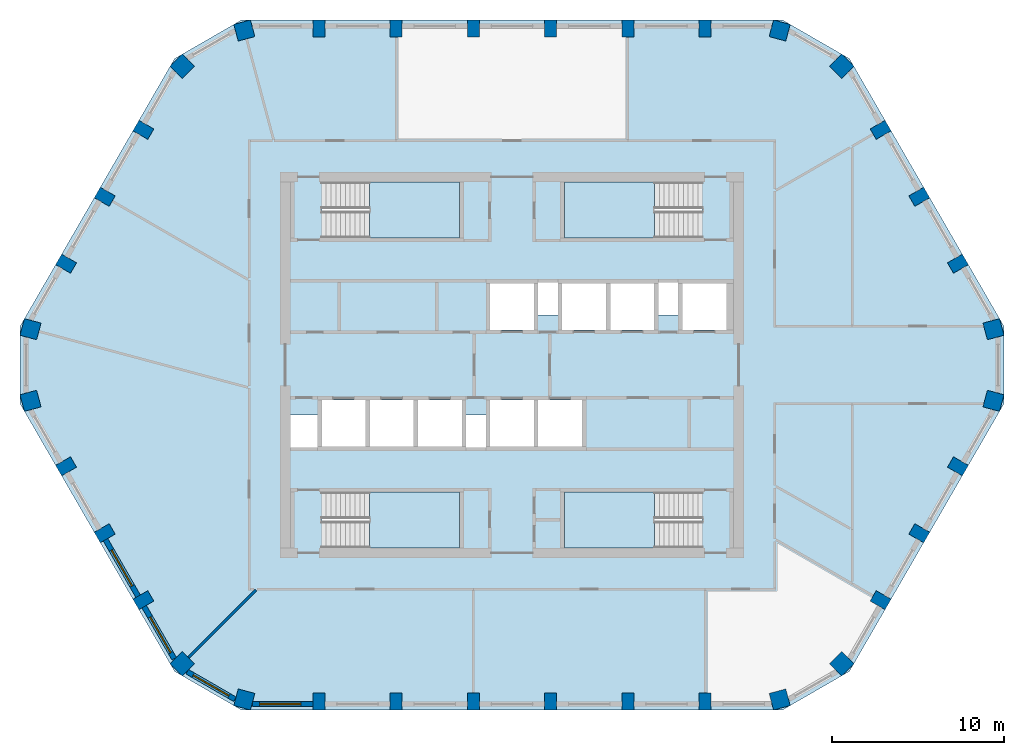
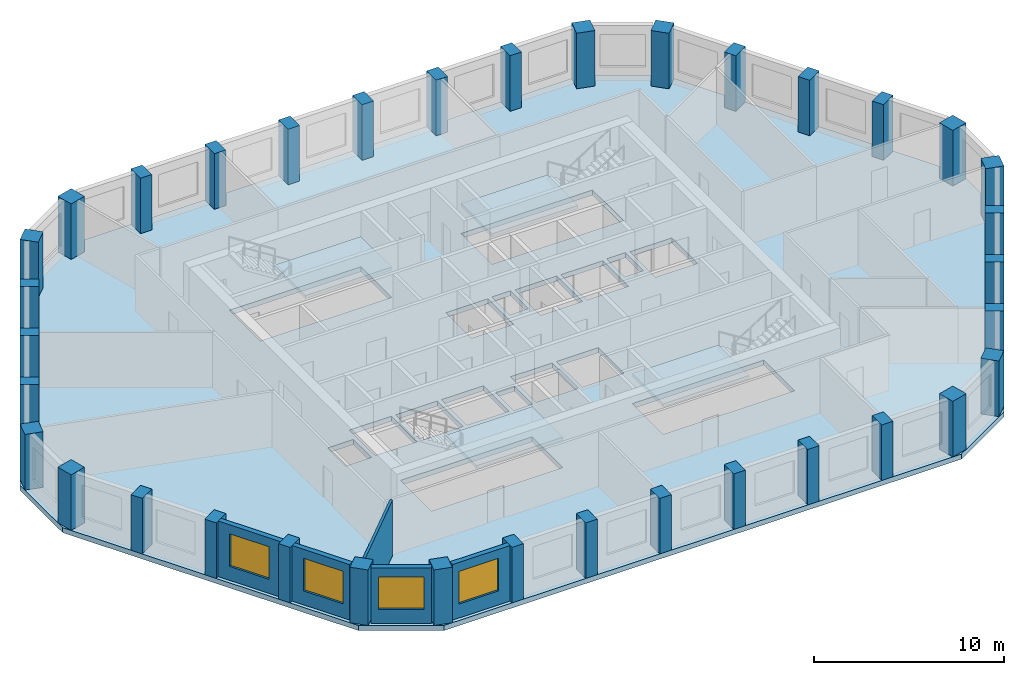
# One storey, part 1 of 10: 36 columns, 5 slabs, 5 walls, 4 windows, 4 openings, 4 elements without a shape of their own.
"""IFC4 building model written with IfcOpenShell, lengths in metres."""

from ifc_helpers import new_model, si_unit, direction, frame, frame_2d, origin, origin_2d, place, context, subcontext, project, spatial, polyline, rectangle, outline, extrude, material, layer, layer_set, material_profile, profile_set, type_object, element, fill, aggregate, save


model = new_model("IFC4")

# Units and contexts
model_context = context("Model", 3, precision=1e-05, world=origin(), true_north=direction((0.0, 1.0)))
body_context = subcontext(model_context, "Body", "Model", "MODEL_VIEW")
ifc_project = project(units=[si_unit("LENGTHUNIT", "METRE"), si_unit("AREAUNIT", "SQUARE_METRE"), si_unit("VOLUMEUNIT", "CUBIC_METRE"), si_unit("PLANEANGLEUNIT", "RADIAN"), si_unit("MASSUNIT", "GRAM", prefix="KILO")], contexts=[model_context])

# Site, building, storey
site_placement = place(None, origin())
site = spatial("IfcSite", under=ifc_project, at=site_placement, CompositionType="ELEMENT")
building_placement = place(site_placement, origin())
building = spatial("IfcBuilding", under=site, at=building_placement, Name="Dhurran Vertical Campus", CompositionType="ELEMENT")
storey_placement = place(building_placement, frame((0.0, 0.0, 254.699951171875)))
storey = spatial("IfcBuildingStorey", under=building, at=storey_placement, Name="L63", CompositionType="ELEMENT", Elevation=254.699951171875)

# Columns
ifc_material_1 = material(Name="Concrete C50/60", Category="concrete")
ifc_material_profile_1 = material_profile(ifc_material_1, rectangle(XDim=1.0, YDim=1.0, at=origin_2d()), Name="RC 1000x1000")
ifc_profile_set_1 = profile_set([ifc_material_profile_1], Name="Concrete C50/60")
column_type_1 = type_object("IfcColumnType", Name="FR COL RC 1000x1000 C50/60", PredefinedType="COLUMN", material=ifc_profile_set_1)
for number, where, z_axis, x_axis, name in (
    (1, (-15.5859375, -19.47607421875, 0.0), (0.0, 0.0, 1.0), (0.965925826289, -0.258819045103, 0.0), "Perimeter pier PP5.00"),
    (2, (15.5859375, -19.47607421875, 0.0), (0.0, 0.0, 1.0), (0.965925826289, 0.258819045103, 0.0), "Perimeter pier PP5.07"),
    (3, (19.19873046875, -17.39013671875, 0.0), (0.0, 0.0, 1.0), (0.707106781187, 0.707106781187, 0.0), "Perimeter pier PP5.08"),
    (4, (28.03466796875, -2.0859375, 0.0), (0.0, 0.0, 1.0), (0.258819045103, 0.965925826289, 0.0), "Perimeter pier PP5.12"),
    (5, (28.03466796875, 2.0859375, 0.0), (0.0, 0.0, 1.0), (-0.258819045103, 0.965925826289, 0.0), "Perimeter pier PP5.13"),
    (6, (19.19873046875, 17.39013671875, 0.0), (0.0, 0.0, 1.0), (-0.707106781187, 0.707106781187, 0.0), "Perimeter pier PP5.17"),
    (7, (15.5859375, 19.47607421875, 0.0), (0.0, 0.0, 1.0), (-0.965925826289, 0.258819045103, 0.0), "Perimeter pier PP5.18"),
    (8, (-15.5859375, 19.47607421875, 0.0), (0.0, 0.0, 1.0), (-0.965925826289, -0.258819045103, 0.0), "Perimeter pier PP5.25"),
    (9, (-19.19873046875, 17.39013671875, 0.0), (0.0, 0.0, 1.0), (-0.707106781187, -0.707106781187, 0.0), "Perimeter pier PP5.26"),
    (10, (-28.03466796875, 2.0859375, 0.0), (0.0, 0.0, 1.0), (-0.258819045103, -0.965925826289, 0.0), "Perimeter pier PP5.30"),
    (11, (-28.03466796875, -2.0859375, 0.0), (0.0, 0.0, 1.0), (0.258819045103, -0.965925826289, 0.0), "Perimeter pier PP5.31"),
    (12, (-19.19873046875, -17.39013671875, 0.0), (0.0, 0.0, 1.0), (0.707106781187, -0.707106781187, 0.0), "Perimeter pier PP5.35"),
):
    element("IfcColumn", number, at=place(storey_placement, frame(where, z_axis=z_axis, x_axis=x_axis)), inside=storey, type_object=column_type_1, Name=name, PredefinedType="COLUMN", context=body_context, shape_type="SweptSolid", body=[
        extrude(rectangle(XDim=1.0, YDim=1.0, at=origin_2d()), origin(), (0.0, 0.0, 1.0), 3.574951171875),
    ])
ifc_material_2 = material(Name="Concrete C50/60", Category="concrete")
ifc_material_profile_2 = material_profile(ifc_material_2, rectangle(XDim=0.699951171875, YDim=1.0, at=origin_2d()), Name="RC 700x1000")
ifc_profile_set_2 = profile_set([ifc_material_profile_2], Name="Concrete C50/60")
column_type_2 = type_object("IfcColumnType", Name="FR COL RC 700x1000 C50/60", PredefinedType="COLUMN", material=ifc_profile_set_2)
for number, where, z_axis, x_axis, name in (
    (13, (-11.25, -19.58837890625, 0.0), (0.0, 0.0, 1.0), (1.0, 0.0, 0.0), "Perimeter pier PP5.01"),
    (14, (-6.75, -19.58837890625, 0.0), (0.0, 0.0, 1.0), (1.0, 0.0, 0.0), "Perimeter pier PP5.02"),
    (15, (-2.25, -19.58837890625, 0.0), (0.0, 0.0, 1.0), (1.0, 0.0, 0.0), "Perimeter pier PP5.03"),
    (16, (2.25, -19.58837890625, 0.0), (0.0, 0.0, 1.0), (1.0, 0.0, 0.0), "Perimeter pier PP5.04"),
    (17, (6.75, -19.58837890625, 0.0), (0.0, 0.0, 1.0), (1.0, 0.0, 0.0), "Perimeter pier PP5.05"),
    (18, (11.25, -19.58837890625, 0.0), (0.0, 0.0, 1.0), (1.0, 0.0, 0.0), "Perimeter pier PP5.06"),
    (19, (21.464111328125, -13.69140625, 0.0), (0.0, 0.0, 1.0), (0.5, 0.866025403784, 0.0), "Perimeter pier PP5.09"),
    (20, (23.714111328125, -9.794189453125, 0.0), (0.0, 0.0, 1.0), (0.5, 0.866025403784, 0.0), "Perimeter pier PP5.10"),
    (21, (25.964111328125, -5.897216796875, 0.0), (0.0, 0.0, 1.0), (0.5, 0.866025403784, 0.0), "Perimeter pier PP5.11"),
    (22, (25.964111328125, 5.897216796875, 0.0), (0.0, 0.0, 1.0), (-0.5, 0.866025403784, 0.0), "Perimeter pier PP5.14"),
    (23, (23.714111328125, 9.794189453125, 0.0), (0.0, 0.0, 1.0), (-0.5, 0.866025403784, 0.0), "Perimeter pier PP5.15"),
    (24, (21.464111328125, 13.69140625, 0.0), (0.0, 0.0, 1.0), (-0.5, 0.866025403784, 0.0), "Perimeter pier PP5.16"),
    (25, (11.25, 19.58837890625, 0.0), (0.0, 0.0, 1.0), (-1.0, 0.0, 0.0), "Perimeter pier PP5.19"),
    (26, (6.75, 19.58837890625, 0.0), (0.0, 0.0, 1.0), (-1.0, 0.0, 0.0), "Perimeter pier PP5.20"),
    (27, (2.25, 19.58837890625, 0.0), (0.0, 0.0, 1.0), (-1.0, 0.0, 0.0), "Perimeter pier PP5.21"),
    (28, (-2.25, 19.58837890625, 0.0), (0.0, 0.0, 1.0), (-1.0, 0.0, 0.0), "Perimeter pier PP5.22"),
    (29, (-6.75, 19.58837890625, 0.0), (0.0, 0.0, 1.0), (-1.0, 0.0, 0.0), "Perimeter pier PP5.23"),
    (30, (-11.25, 19.58837890625, 0.0), (0.0, 0.0, 1.0), (-1.0, 0.0, 0.0), "Perimeter pier PP5.24"),
    (31, (-21.464111328125, 13.69140625, 0.0), (0.0, 0.0, 1.0), (-0.5, -0.866025403784, 0.0), "Perimeter pier PP5.27"),
    (32, (-23.714111328125, 9.794189453125, 0.0), (0.0, 0.0, 1.0), (-0.5, -0.866025403784, 0.0), "Perimeter pier PP5.28"),
    (33, (-25.964111328125, 5.897216796875, 0.0), (0.0, 0.0, 1.0), (-0.5, -0.866025403784, 0.0), "Perimeter pier PP5.29"),
    (34, (-25.964111328125, -5.897216796875, 0.0), (0.0, 0.0, 1.0), (0.5, -0.866025403784, 0.0), "Perimeter pier PP5.32"),
    (35, (-23.714111328125, -9.794189453125, 0.0), (0.0, 0.0, 1.0), (0.5, -0.866025403784, 0.0), "Perimeter pier PP5.33"),
    (36, (-21.464111328125, -13.69140625, 0.0), (0.0, 0.0, 1.0), (0.5, -0.866025403784, 0.0), "Perimeter pier PP5.34"),
):
    element("IfcColumn", number, at=place(storey_placement, frame(where, z_axis=z_axis, x_axis=x_axis)), inside=storey, type_object=column_type_2, Name=name, PredefinedType="COLUMN", context=body_context, shape_type="SweptSolid", body=[
        extrude(rectangle(XDim=0.699951171875, YDim=1.0, at=origin_2d()), origin(), (0.0, 0.0, 1.0), 3.574951171875),
    ])

# Slab
ifc_material_3 = material(Name="Concrete C40/50", Category="concrete")
ifc_layer_1 = layer(ifc_material_3, 0.324951171875)
ifc_layer_set_1 = layer_set([ifc_layer_1], Name="Concrete C40/50")
slab_type_1 = type_object("IfcSlabType", Name="FR POST-TENSIONED FLAT SLAB 325", PredefinedType="FLOOR", material=ifc_layer_set_1)
slab_1_placement = place(storey_placement, frame((0.0, 0.0, -0.324951171875)))
element("IfcSlab", 37, at=slab_1_placement, inside=storey, type_object=slab_type_1, Name="Floor slab L63", PredefinedType="FLOOR", context=body_context, shape_type="SweptSolid", body=[
    extrude(outline(polyline([(-15.75, -20.08837890625), (15.75, -20.08837890625), (19.647216796875, -17.83837890625), (28.647216796875, -2.25), (28.647216796875, 2.25), (19.647216796875, 17.83837890625), (15.75, 20.08837890625), (-15.75, 20.08837890625), (-19.647216796875, 17.83837890625), (-28.647216796875, 2.25), (-28.647216796875, -2.25), (-19.647216796875, -17.83837890625), (-15.75, -20.08837890625)]), holes=[polyline([(-1.27490234375, 2.050048828125), (1.27490234375, 2.050048828125), (1.27490234375, 4.75), (-1.27490234375, 4.75), (-1.27490234375, 2.050048828125)]), polyline([(9.925048828125, 2.050048828125), (12.47509765625, 2.050048828125), (12.47509765625, 4.75), (9.925048828125, 4.75), (9.925048828125, 2.050048828125)]), polyline([(-1.27490234375, -4.75), (1.27490234375, -4.75), (1.27490234375, -2.050048828125), (-1.27490234375, -2.050048828125), (-1.27490234375, -4.75)]), polyline([(1.52490234375, -4.75), (4.074951171875, -4.75), (4.074951171875, -2.050048828125), (1.52490234375, -2.050048828125), (1.52490234375, -4.75)]), polyline([(2.925048828125, 2.050048828125), (5.47509765625, 2.050048828125), (5.47509765625, 4.75), (2.925048828125, 4.75), (2.925048828125, 2.050048828125)]), polyline([(5.72509765625, 2.050048828125), (8.27490234375, 2.050048828125), (8.27490234375, 4.75), (5.72509765625, 4.75), (5.72509765625, 2.050048828125)]), polyline([(-11.074951171875, -4.75), (-8.52490234375, -4.75), (-8.52490234375, -2.050048828125), (-11.074951171875, -2.050048828125), (-11.074951171875, -4.75)]), polyline([(-8.27490234375, -4.75), (-5.72509765625, -4.75), (-5.72509765625, -2.050048828125), (-8.27490234375, -2.050048828125), (-8.27490234375, -4.75)]), polyline([(-5.47509765625, -4.75), (-2.925048828125, -4.75), (-2.925048828125, -2.050048828125), (-5.47509765625, -2.050048828125), (-5.47509765625, -4.75)]), polyline([(-11.050048828125, 7.39990234375), (-3.050048828125, 7.39990234375), (-3.050048828125, 10.64990234375), (-11.050048828125, 10.64990234375), (-11.050048828125, 7.39990234375)]), polyline([(3.050048828125, 7.39990234375), (11.050048828125, 7.39990234375), (11.050048828125, 10.64990234375), (3.050048828125, 10.64990234375), (3.050048828125, 7.39990234375)]), polyline([(-11.050048828125, -10.64990234375), (-3.050048828125, -10.64990234375), (-3.050048828125, -7.39990234375), (-11.050048828125, -7.39990234375), (-11.050048828125, -10.64990234375)]), polyline([(3.050048828125, -10.64990234375), (11.050048828125, -10.64990234375), (11.050048828125, -7.39990234375), (3.050048828125, -7.39990234375), (3.050048828125, -10.64990234375)]), polyline([(2.675048828125, 2.89990234375), (1.52490234375, 2.89990234375), (1.52490234375, 4.800048828125), (2.675048828125, 4.800048828125), (2.675048828125, 2.89990234375)]), polyline([(-12.89990234375, -2.89990234375), (-11.324951171875, -2.89990234375), (-11.324951171875, -4.800048828125), (-12.89990234375, -4.800048828125), (-12.89990234375, -2.89990234375)]), polyline([(-2.675048828125, -2.89990234375), (-1.52490234375, -2.89990234375), (-1.52490234375, -4.800048828125), (-2.675048828125, -4.800048828125), (-2.675048828125, -2.89990234375)]), polyline([(9.675048828125, 2.89990234375), (8.52490234375, 2.89990234375), (8.52490234375, 4.800048828125), (9.675048828125, 4.800048828125), (9.675048828125, 2.89990234375)])]), origin(), (0.0, 0.0, 1.0), 0.324951171875),
])

# Stair, slab
ifc_material_4 = material(Name="Concrete C40/50", Category="concrete")
stair_type = type_object("IfcStairType", Name="co-ST-CORE", PredefinedType="HALF_TURN_STAIR", material=ifc_material_4)
stair_1_placement = place(storey_placement, origin())
stair_1 = element("IfcStair", 38, at=stair_1_placement, inside=storey, type_object=stair_type, Name="L63 Protected exit stair ST1", PredefinedType="HALF_TURN_STAIR")
ifc_material_5 = material(Name="Concrete C40/50", Category="concrete")
ifc_layer_2 = layer(ifc_material_5, 0.199951171875)
ifc_layer_set_2 = layer_set([ifc_layer_2], Name="Concrete C40/50")
slab_type_2 = type_object("IfcSlabType", Name="co-SL-LANDING", PredefinedType="LANDING", material=ifc_layer_set_2)
slab_2_placement = place(storey_placement, frame((0.0, 0.0, 1.75)))
slab_2 = element("IfcSlab", 39, at=slab_2_placement, type_object=slab_type_2, Name="ST1 landing 1", PredefinedType="LANDING", context=body_context, shape_type="SweptSolid", body=[
    extrude(outline(polyline([(-8.300048828125, 7.39990234375), (-3.050048828125, 7.39990234375), (-3.050048828125, 10.64990234375), (-8.300048828125, 10.64990234375), (-8.300048828125, 7.39990234375)])), origin(), (0.0, 0.0, 1.0), 0.199951171875),
])
aggregate(stair_1, [slab_2])

stair_2_placement = place(storey_placement, origin())
stair_2 = element("IfcStair", 40, at=stair_2_placement, inside=storey, type_object=stair_type, Name="L63 Protected exit stair ST2", PredefinedType="HALF_TURN_STAIR")
slab_3_placement = place(storey_placement, frame((0.0, 0.0, 1.75)))
slab_3 = element("IfcSlab", 41, at=slab_3_placement, type_object=slab_type_2, Name="ST2 landing 1", PredefinedType="LANDING", context=body_context, shape_type="SweptSolid", body=[
    extrude(outline(polyline([(8.300048828125, 10.64990234375), (3.050048828125, 10.64990234375), (3.050048828125, 7.39990234375), (8.300048828125, 7.39990234375), (8.300048828125, 10.64990234375)])), origin(), (0.0, 0.0, 1.0), 0.199951171875),
])
aggregate(stair_2, [slab_3])

stair_3_placement = place(storey_placement, origin())
stair_3 = element("IfcStair", 42, at=stair_3_placement, inside=storey, type_object=stair_type, Name="L63 Protected exit stair ST3", PredefinedType="HALF_TURN_STAIR")
slab_4_placement = place(storey_placement, frame((0.0, 0.0, 1.75)))
slab_4 = element("IfcSlab", 43, at=slab_4_placement, type_object=slab_type_2, Name="ST3 landing 1", PredefinedType="LANDING", context=body_context, shape_type="SweptSolid", body=[
    extrude(outline(polyline([(-8.300048828125, -10.64990234375), (-3.050048828125, -10.64990234375), (-3.050048828125, -7.39990234375), (-8.300048828125, -7.39990234375), (-8.300048828125, -10.64990234375)])), origin(), (0.0, 0.0, 1.0), 0.199951171875),
])
aggregate(stair_3, [slab_4])

stair_4_placement = place(storey_placement, origin())
stair_4 = element("IfcStair", 44, at=stair_4_placement, inside=storey, type_object=stair_type, Name="L63 Protected exit stair ST4", PredefinedType="HALF_TURN_STAIR")
slab_5_placement = place(storey_placement, frame((0.0, 0.0, 1.75)))
slab_5 = element("IfcSlab", 45, at=slab_5_placement, type_object=slab_type_2, Name="ST4 landing 1", PredefinedType="LANDING", context=body_context, shape_type="SweptSolid", body=[
    extrude(outline(polyline([(8.300048828125, -7.39990234375), (3.050048828125, -7.39990234375), (3.050048828125, -10.64990234375), (8.300048828125, -10.64990234375), (8.300048828125, -7.39990234375)])), origin(), (0.0, 0.0, 1.0), 0.199951171875),
])
aggregate(stair_4, [slab_5])

# Wall, opening, window
ifc_material_6 = material(Name="Precast concrete C50/60", Category="concrete")
ifc_layer_3 = layer(ifc_material_6, 0.300048828125)
ifc_layer_set_3 = layer_set([ifc_layer_3], Name="Precast concrete C50/60")
wall_type_1 = type_object("IfcWallType", Name="Precast spandrel wall 300", PredefinedType="SOLIDWALL", material=ifc_layer_set_3)
wall_1_placement = place(storey_placement, frame((-15.09814453125, -19.738525390625, 0.0), z_axis=(0.0, 0.0, 1.0), x_axis=(1.0, 0.0, 0.0)))
wall_1 = element("IfcWall", 46, at=wall_1_placement, inside=storey, type_object=wall_type_1, Name="EW1 L63.00", PredefinedType="SOLIDWALL", context=body_context, shape_type="SweptSolid", body=[
    extrude(rectangle(XDim=3.49755859375, YDim=0.300048828125, at=frame_2d((1.748779296875, 0.0))), origin(), (0.0, 0.0, 1.0), 3.574951171875),
])
opening_1_placement = place(wall_1_placement, frame((0.398193359375, 0.0, 0.89990234375)))
opening_1 = element("IfcOpeningElement", 47, at=opening_1_placement, cuts=wall_1, Name="Opening WT1", PredefinedType="OPENING", context=body_context, shape_type="SweptSolid", body=[
    extrude(rectangle(XDim=2.39990234375, YDim=2.10009765625, at=frame_2d((1.199951171875, 1.050048828125))), frame((0.0, 0.159912109375, 0.0), z_axis=(0.0, -1.0, 0.0), x_axis=(1.0, 0.0, 0.0)), (0.0, 0.0, 1.0), 0.320068359375),
])
ifc_material_7 = material(Name="Aluminium frame with solar-control glass", Category="aluminium")
window_type = type_object("IfcWindowType", Name="Punched window 2400 x 2100", PartitioningType="SINGLE_PANEL", PredefinedType="WINDOW", material=ifc_material_7)
window_1_placement = place(opening_1_placement, origin())
window_1 = element("IfcWindow", 48, at=window_1_placement, inside=storey, type_object=window_type, Name="WT1 L63.00", OverallHeight=2.10009765625, OverallWidth=2.39990234375, PartitioningType="SINGLE_PANEL", PredefinedType="WINDOW", context=body_context, shape_type="SweptSolid", body=[
    extrude(rectangle(XDim=2.39990234375, YDim=2.10009765625, at=frame_2d((1.199951171875, 1.050048828125))), frame((0.0, 0.030029296875, 0.0), z_axis=(0.0, -1.0, 0.0), x_axis=(1.0, 0.0, 0.0)), (0.0, 0.0, 1.0), 0.06005859375),
])
fill(opening_1, window_1)

wall_2_placement = place(storey_placement, frame((-23.668701171875, -10.1728515625, 0.0), z_axis=(0.0, 0.0, 1.0), x_axis=(0.499982058975, -0.866035761792, 0.0)))
wall_2 = element("IfcWall", 49, at=wall_2_placement, inside=storey, type_object=wall_type_1, Name="EW1 L63.33", PredefinedType="SOLIDWALL", context=body_context, shape_type="SweptSolid", body=[
    extrude(rectangle(XDim=3.799072265625, YDim=0.300048828125, at=frame_2d((1.8994140625, 0.0))), origin(), (0.0, 0.0, 1.0), 3.574951171875),
])
opening_2_placement = place(wall_2_placement, frame((0.699462890625, 0.0, 0.89990234375)))
opening_2 = element("IfcOpeningElement", 50, at=opening_2_placement, cuts=wall_2, Name="Opening WT1", PredefinedType="OPENING", context=body_context, shape_type="SweptSolid", body=[
    extrude(rectangle(XDim=2.39990234375, YDim=2.10009765625, at=frame_2d((1.199951171875, 1.050048828125))), frame((0.0, 0.159912109375, 0.0), z_axis=(0.0, -1.0, 0.0), x_axis=(1.0, 0.0, 0.0)), (0.0, 0.0, 1.0), 0.320068359375),
])
window_2_placement = place(opening_2_placement, origin())
window_2 = element("IfcWindow", 51, at=window_2_placement, inside=storey, type_object=window_type, Name="WT1 L63.33", OverallHeight=2.10009765625, OverallWidth=2.39990234375, PartitioningType="SINGLE_PANEL", PredefinedType="WINDOW", context=body_context, shape_type="SweptSolid", body=[
    extrude(rectangle(XDim=2.39990234375, YDim=2.10009765625, at=frame_2d((1.199951171875, 1.050048828125))), frame((0.0, 0.030029296875, 0.0), z_axis=(0.0, -1.0, 0.0), x_axis=(1.0, 0.0, 0.0)), (0.0, 0.0, 1.0), 0.06005859375),
])
fill(opening_2, window_2)

wall_3_placement = place(storey_placement, frame((-21.418701171875, -14.06982421875, 0.0), z_axis=(0.0, 0.0, 1.0), x_axis=(0.499960102815, -0.866048437209, 0.0)))
wall_3 = element("IfcWall", 52, at=wall_3_placement, inside=storey, type_object=wall_type_1, Name="EW1 L63.34", PredefinedType="SOLIDWALL", context=body_context, shape_type="SweptSolid", body=[
    extrude(rectangle(XDim=3.497802734375, YDim=0.300048828125, at=frame_2d((1.7490234375, 0.0))), origin(), (0.0, 0.0, 1.0), 3.574951171875),
])
opening_3_placement = place(wall_3_placement, frame((0.699462890625, 0.0, 0.89990234375)))
opening_3 = element("IfcOpeningElement", 53, at=opening_3_placement, cuts=wall_3, Name="Opening WT1", PredefinedType="OPENING", context=body_context, shape_type="SweptSolid", body=[
    extrude(rectangle(XDim=2.39990234375, YDim=2.10009765625, at=frame_2d((1.199951171875, 1.050048828125))), frame((0.0, 0.159912109375, 0.0), z_axis=(0.0, -1.0, 0.0), x_axis=(1.0, 0.0, 0.0)), (0.0, 0.0, 1.0), 0.320068359375),
])
window_3_placement = place(opening_3_placement, origin())
window_3 = element("IfcWindow", 54, at=window_3_placement, inside=storey, type_object=window_type, Name="WT1 L63.34", OverallHeight=2.10009765625, OverallWidth=2.39990234375, PartitioningType="SINGLE_PANEL", PredefinedType="WINDOW", context=body_context, shape_type="SweptSolid", body=[
    extrude(rectangle(XDim=2.39990234375, YDim=2.10009765625, at=frame_2d((1.199951171875, 1.050048828125))), frame((0.0, 0.030029296875, 0.0), z_axis=(0.0, -1.0, 0.0), x_axis=(1.0, 0.0, 0.0)), (0.0, 0.0, 1.0), 0.06005859375),
])
fill(opening_3, window_3)

wall_4_placement = place(storey_placement, frame((-18.90771484375, -17.861328125, 0.0), z_axis=(0.0, 0.0, 1.0), x_axis=(0.866025316205, -0.500000151692, 0.0)))
wall_4 = element("IfcWall", 55, at=wall_4_placement, inside=storey, type_object=wall_type_1, Name="EW1 L63.35", PredefinedType="SOLIDWALL", context=body_context, shape_type="SweptSolid", body=[
    extrude(rectangle(XDim=3.1962890625, YDim=0.300048828125, at=frame_2d((1.59814453125, 0.0))), origin(), (0.0, 0.0, 1.0), 3.574951171875),
])
opening_4_placement = place(wall_4_placement, frame((0.398193359375, 0.0, 0.89990234375)))
opening_4 = element("IfcOpeningElement", 56, at=opening_4_placement, cuts=wall_4, Name="Opening WT1", PredefinedType="OPENING", context=body_context, shape_type="SweptSolid", body=[
    extrude(rectangle(XDim=2.39990234375, YDim=2.10009765625, at=frame_2d((1.199951171875, 1.050048828125))), frame((0.0, 0.159912109375, 0.0), z_axis=(0.0, -1.0, 0.0), x_axis=(1.0, 0.0, 0.0)), (0.0, 0.0, 1.0), 0.320068359375),
])
window_4_placement = place(opening_4_placement, origin())
window_4 = element("IfcWindow", 57, at=window_4_placement, inside=storey, type_object=window_type, Name="WT1 L63.35", OverallHeight=2.10009765625, OverallWidth=2.39990234375, PartitioningType="SINGLE_PANEL", PredefinedType="WINDOW", context=body_context, shape_type="SweptSolid", body=[
    extrude(rectangle(XDim=2.39990234375, YDim=2.10009765625, at=frame_2d((1.199951171875, 1.050048828125))), frame((0.0, 0.030029296875, 0.0), z_axis=(0.0, -1.0, 0.0), x_axis=(1.0, 0.0, 0.0)), (0.0, 0.0, 1.0), 0.06005859375),
])
fill(opening_4, window_4)

# Wall
ifc_material_8 = material(Name="Gypsum board partition on steel studs", Category="steel")
ifc_layer_4 = layer(ifc_material_8, 0.14990234375)
ifc_layer_set_4 = layer_set([ifc_layer_4], Name="Gypsum board partition on steel studs")
wall_type_2 = type_object("IfcWallType", Name="fl-PW-150 fixed partition", PredefinedType="PARTITIONING", material=ifc_layer_set_4)
wall_5_placement = place(storey_placement, frame((-14.912109375, -13.10302734375, 0.0), z_axis=(0.0, 0.0, 1.0), x_axis=(-0.707018679171, -0.707194872226, 0.0)))
element("IfcWall", 58, at=wall_5_placement, inside=storey, type_object=wall_type_2, Name="Partition 63-03", PredefinedType="PARTITIONING", context=body_context, shape_type="SweptSolid", body=[
    extrude(rectangle(XDim=5.54248046875, YDim=0.14990234375, at=frame_2d((2.771240234375, 0.0))), origin(), (0.0, 0.0, 1.0), 3.574951171875),
])

save(model, "model.ifc")
